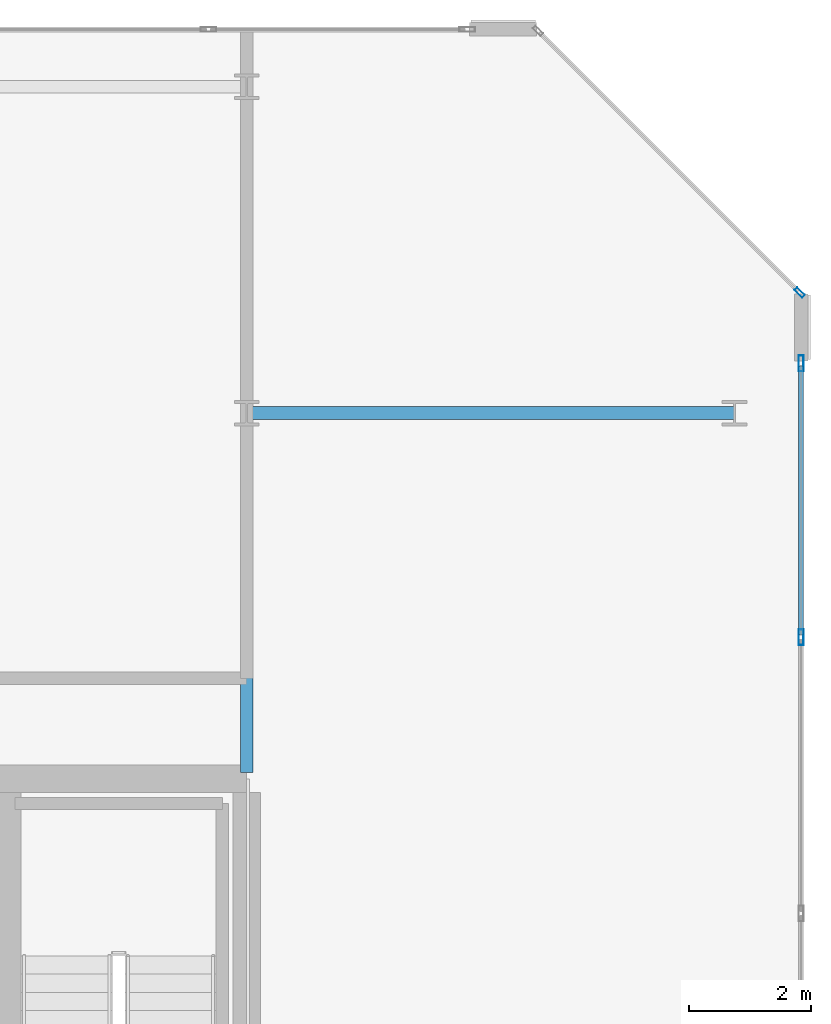
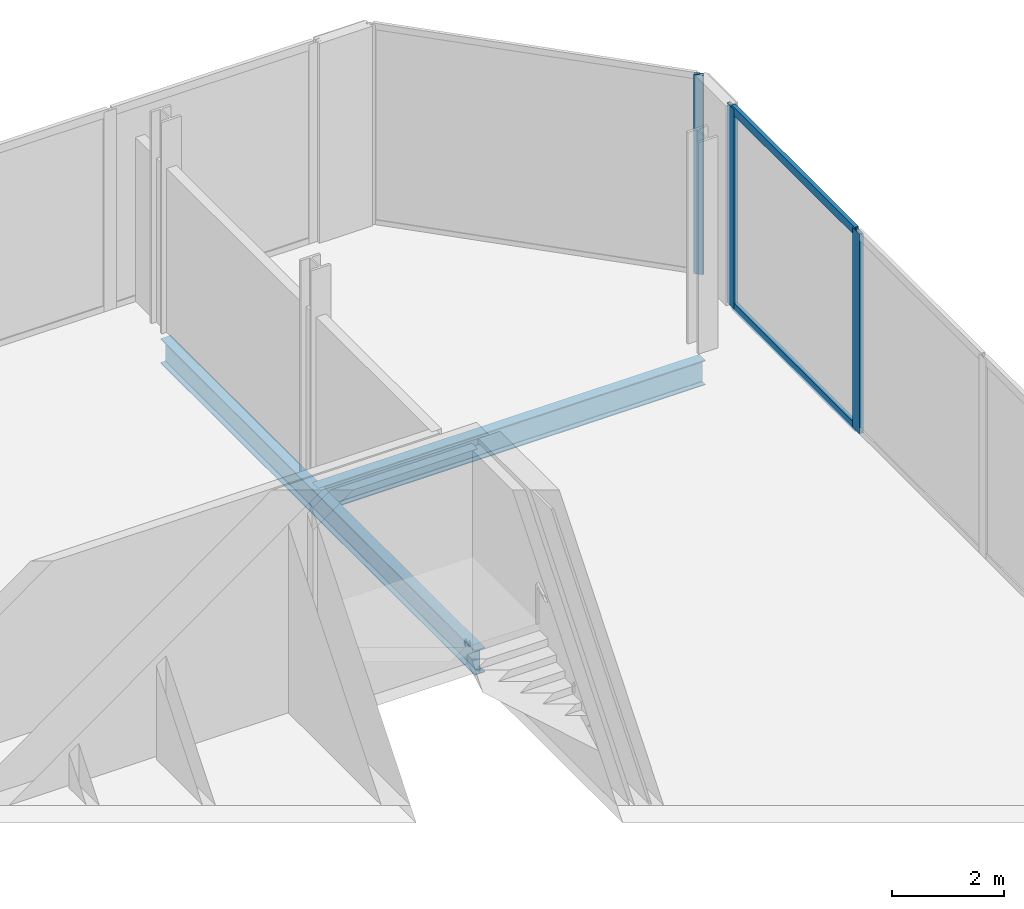
# One storey, part 11 of 16: 5 members, 2 beams, 2 elements without a shape of their own.
"""IFC4 building model written with IfcOpenShell, lengths in metres."""

from ifc_helpers import new_model, si_unit, direction, frame, origin, origin_2d, place, context, subcontext, project, spatial, hollow_rectangle, i_section, extrude, material, layer, layer_set, material_profile, profile_set, type_object, element, aggregate, save


model = new_model("IFC4")

# Units and contexts
model_context = context("Model", 3, precision=1e-05, world=origin(), true_north=direction((0.0, 1.0)))
body_context = subcontext(model_context, "Body", "Model", "MODEL_VIEW")
ifc_project = project(units=[si_unit("LENGTHUNIT", "METRE"), si_unit("AREAUNIT", "SQUARE_METRE"), si_unit("VOLUMEUNIT", "CUBIC_METRE"), si_unit("PLANEANGLEUNIT", "RADIAN"), si_unit("MASSUNIT", "GRAM", prefix="KILO")], contexts=[model_context])

# Site, building, storey
site_placement = place(None, origin())
site = spatial("IfcSite", under=ifc_project, at=site_placement, CompositionType="ELEMENT")
building_placement = place(site_placement, origin())
building = spatial("IfcBuilding", under=site, at=building_placement, Name="Tanjung Sevakor Pilgrim Tower", CompositionType="ELEMENT")
storey_placement = place(building_placement, frame((0.0, 0.0, 283.139892578125)))
storey = spatial("IfcBuildingStorey", under=building, at=storey_placement, Name="L79", CompositionType="ELEMENT", Elevation=283.139892578125)

# Beams
ifc_material_1 = material(Name="Steel S355J2", Category="steel")
ifc_material_profile_1 = material_profile(ifc_material_1, i_section(OverallWidth=0.2119140625, OverallDepth=0.54443359375, WebThickness=0.0126953125, FlangeThickness=0.021240234375, FilletRadius=0.0126953125, at=origin_2d()))
ifc_profile_set_1 = profile_set([ifc_material_profile_1], Name="Steel S355J2")
beam_type_1 = type_object("IfcBeamType", Name="BM-B-G5-UB_533x210x122", PredefinedType="BEAM", material=ifc_profile_set_1)
beam_1_placement = place(storey_placement, frame((90.0, 48.60009765625, -0.531982421875), z_axis=(1.0, 0.0, 0.0), x_axis=(0.0, 1.0, 0.0)))
element("IfcBeam", 1, at=beam_1_placement, inside=storey, type_object=beam_type_1, Name="L79 East Peak Wing Girder Y48.6", PredefinedType="BEAM", context=body_context, shape_type="SweptSolid", body=[
    extrude(i_section(OverallWidth=0.2119140625, OverallDepth=0.54443359375, WebThickness=0.0126953125, FlangeThickness=0.021240234375, FilletRadius=0.0126953125, at=origin_2d()), origin(), (0.0, 0.0, 1.0), 8.0),
])
ifc_material_2 = material(Name="Steel S355J2", Category="steel")
ifc_material_profile_2 = material_profile(ifc_material_2, i_section(OverallWidth=0.210693359375, OverallDepth=0.53955078125, WebThickness=0.01171875, FlangeThickness=0.018798828125, FilletRadius=0.0126953125, at=origin_2d()))
ifc_profile_set_2 = profile_set([ifc_material_profile_2], Name="Steel S355J2")
beam_type_2 = type_object("IfcBeamType", Name="BM-B-G6-UB_533x210x109", PredefinedType="BEAM", material=ifc_profile_set_2)
beam_2_placement = place(storey_placement, frame((90.0, 42.7060546875, -0.529541015625), z_axis=(0.0, 1.0, 0.0), x_axis=(-1.0, 0.0, 0.0)))
element("IfcBeam", 2, at=beam_2_placement, inside=storey, type_object=beam_type_2, Name="L79 EAST Girder 010", PredefinedType="BEAM", context=body_context, shape_type="SweptSolid", body=[
    extrude(i_section(OverallWidth=0.210693359375, OverallDepth=0.53955078125, WebThickness=0.01171875, FlangeThickness=0.018798828125, FilletRadius=0.0126953125, at=origin_2d()), origin(), (0.0, 0.0, 1.0), 11.243896484375),
])

# Curtain wall, member
ifc_material_3 = material(Name="Aluminium 6063-T6 and Low-E Glass", Category="aluminium")
ifc_layer_1 = layer(ifc_material_3, 0.179931640625)
ifc_layer_set_1 = layer_set([ifc_layer_1], Name="CW-SYS-CHAM")
curtain_wall_type_1 = type_object("IfcCurtainWallType", Name="CW-SYS-CHAM", PredefinedType="NOTDEFINED", material=ifc_layer_set_1)
curtain_wall_1_placement = place(storey_placement, origin())
curtain_wall_1 = element("IfcCurtainWall", 3, at=curtain_wall_1_placement, inside=storey, type_object=curtain_wall_type_1, Name="L79 Curtain Wall CW-CHM-L79-EAST-3", PredefinedType="NOTDEFINED")
ifc_material_4 = material(Name="Aluminium 6063-T6", Category="aluminium")
ifc_material_profile_3 = material_profile(ifc_material_4, hollow_rectangle(XDim=0.06494140625, YDim=0.179931640625, WallThickness=0.00390625, at=origin_2d()))
ifc_profile_set_3 = profile_set([ifc_material_profile_3], Name="Aluminium 6063-T6")
member_type_1 = type_object("IfcMemberType", Name="TYPE-CWM-1", PredefinedType="MULLION", material=ifc_profile_set_3)
member_1_placement = place(storey_placement, frame((99.067138671875, 50.577392578125, 0.0), z_axis=(0.0, 0.0, 1.0), x_axis=(-0.707106781187, -0.707106781187, 0.0)))
member_1 = element("IfcMember", 4, at=member_1_placement, type_object=member_type_1, Name="CW-CHM mullion 1", PredefinedType="MULLION", context=body_context, shape_type="SweptSolid", body=[
    extrude(hollow_rectangle(XDim=0.06494140625, YDim=0.179931640625, WallThickness=0.00390625, at=origin_2d()), origin(), (0.0, 0.0, 1.0), 4.360107421875),
])
aggregate(curtain_wall_1, [member_1])

# Curtain wall, members
ifc_material_5 = material(Name="Aluminium 6063-T6 and Low-E Glass", Category="aluminium")
ifc_layer_2 = layer(ifc_material_5, 0.219970703125)
ifc_layer_set_2 = layer_set([ifc_layer_2], Name="CW-SYS-CRNE")
curtain_wall_type_2 = type_object("IfcCurtainWallType", Name="CW-SYS-CRNE", PredefinedType="NOTDEFINED", material=ifc_layer_set_2)
curtain_wall_2_placement = place(storey_placement, origin())
curtain_wall_2 = element("IfcCurtainWall", 5, at=curtain_wall_2_placement, inside=storey, type_object=curtain_wall_type_2, Name="L79 Curtain Wall CW-CRN-L79-EAST-2-1", PredefinedType="NOTDEFINED")
ifc_material_6 = material(Name="Aluminium 6063-T6", Category="aluminium")
ifc_material_profile_4 = material_profile(ifc_material_6, hollow_rectangle(XDim=0.080078125, YDim=0.260009765625, WallThickness=0.0048828125, at=origin_2d()))
ifc_profile_set_4 = profile_set([ifc_material_profile_4], Name="Aluminium 6063-T6")
member_type_2 = type_object("IfcMemberType", Name="TYPE-CWM-3", PredefinedType="MULLION", material=ifc_profile_set_4)
member_2_placement = place(storey_placement, frame((99.090087890625, 44.924560546875, 0.0), z_axis=(0.0, 0.0, 1.0), x_axis=(-1.0, 0.0, 0.0)))
member_2 = element("IfcMember", 6, at=member_2_placement, type_object=member_type_2, Name="CW-CRE mullion 7", PredefinedType="MULLION", context=body_context, shape_type="SweptSolid", body=[
    extrude(hollow_rectangle(XDim=0.080078125, YDim=0.260009765625, WallThickness=0.0048828125, at=origin_2d()), origin(), (0.0, 0.0, 1.0), 4.360107421875),
])
member_3_placement = place(storey_placement, frame((99.090087890625, 49.414306640625, 0.0), z_axis=(0.0, 0.0, 1.0), x_axis=(-1.0, 0.0, 0.0)))
member_3 = element("IfcMember", 7, at=member_3_placement, type_object=member_type_2, Name="CW-CRE mullion 8", PredefinedType="MULLION", context=body_context, shape_type="SweptSolid", body=[
    extrude(hollow_rectangle(XDim=0.080078125, YDim=0.260009765625, WallThickness=0.0048828125, at=origin_2d()), origin(), (0.0, 0.0, 1.0), 4.360107421875),
])
ifc_material_7 = material(Name="Aluminium 6063-T6", Category="aluminium")
ifc_material_profile_5 = material_profile(ifc_material_7, hollow_rectangle(XDim=0.080078125, YDim=0.179931640625, WallThickness=0.0048828125, at=origin_2d()))
ifc_profile_set_5 = profile_set([ifc_material_profile_5], Name="Aluminium 6063-T6")
member_type_3 = type_object("IfcMemberType", Name="TYPE-CWT-3", PredefinedType="USERDEFINED", material=ifc_profile_set_5)
member_4_placement = place(storey_placement, frame((99.090087890625, 44.964599609375, 0.0400390625), z_axis=(0.0, 1.0, 0.0), x_axis=(-1.0, 0.0, 0.0)))
member_4 = element("IfcMember", 8, at=member_4_placement, type_object=member_type_3, Name="CW-CRE transom 7.1", ObjectType="TRANSOM", PredefinedType="USERDEFINED", context=body_context, shape_type="SweptSolid", body=[
    extrude(hollow_rectangle(XDim=0.080078125, YDim=0.179931640625, WallThickness=0.0048828125, at=origin_2d()), origin(), (0.0, 0.0, 1.0), 4.409912109375),
])
member_5_placement = place(storey_placement, frame((99.090087890625, 44.964599609375, 4.320068359375), z_axis=(0.0, 1.0, 0.0), x_axis=(-1.0, 0.0, 0.0)))
member_5 = element("IfcMember", 9, at=member_5_placement, type_object=member_type_3, Name="CW-CRE transom 7.2", ObjectType="TRANSOM", PredefinedType="USERDEFINED", context=body_context, shape_type="SweptSolid", body=[
    extrude(hollow_rectangle(XDim=0.080078125, YDim=0.179931640625, WallThickness=0.0048828125, at=origin_2d()), origin(), (0.0, 0.0, 1.0), 4.409912109375),
])
aggregate(curtain_wall_2, [member_2, member_3, member_4, member_5])

save(model, "model.ifc")
